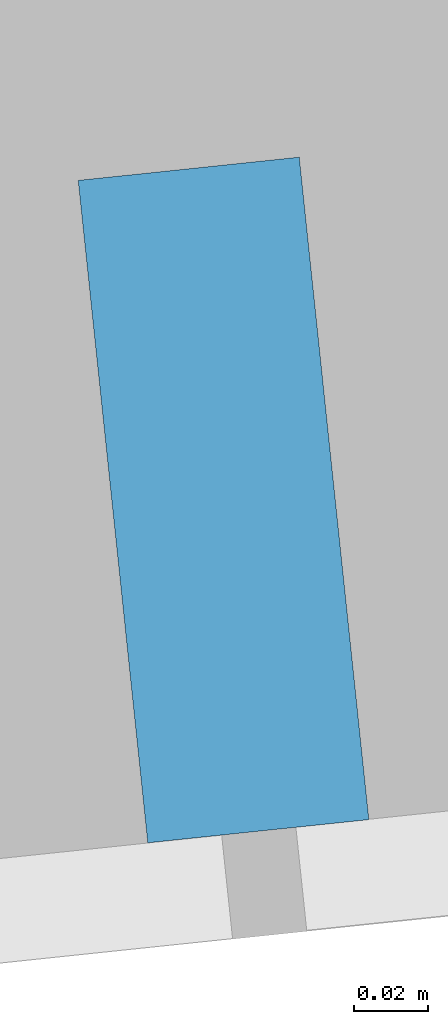
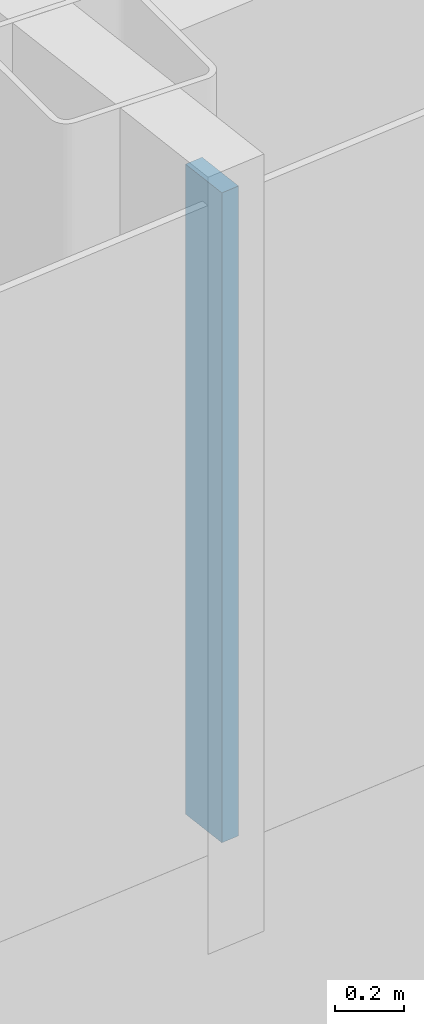
# One storey, part 7 of 27: 1 member, 1 element without a shape of its own.
"""IFC4 building model written with IfcOpenShell, lengths in metres."""

from ifc_helpers import new_model, si_unit, direction, frame, origin, origin_2d, place, context, subcontext, project, spatial, rectangle, extrude, material, layer, layer_set, material_profile, profile_set, type_object, element, aggregate, save


model = new_model("IFC4")

# Units and contexts
model_context = context("Model", 3, precision=1e-05, world=origin(), true_north=direction((0.0, 1.0)))
body_context = subcontext(model_context, "Body", "Model", "MODEL_VIEW")
ifc_project = project(units=[si_unit("LENGTHUNIT", "METRE"), si_unit("AREAUNIT", "SQUARE_METRE"), si_unit("VOLUMEUNIT", "CUBIC_METRE"), si_unit("PLANEANGLEUNIT", "RADIAN"), si_unit("MASSUNIT", "GRAM", prefix="KILO")], contexts=[model_context])

# Site, building, storey
site_placement = place(None, origin())
site = spatial("IfcSite", under=ifc_project, at=site_placement, CompositionType="ELEMENT")
building_placement = place(site_placement, origin())
building = spatial("IfcBuilding", under=site, at=building_placement, Name="Hakoniwa Tower and Hamabe Station Hall", CompositionType="ELEMENT")
storey_placement = place(building_placement, frame((0.0, 0.0, 248.60009765625)))
storey = spatial("IfcBuildingStorey", under=building, at=storey_placement, Name="L70", CompositionType="ELEMENT", Elevation=248.60009765625)

# Curtain wall, member
ifc_material_1 = material(Name="Dark low-e laminated glass", Category="glass")
ifc_layer = layer(ifc_material_1, 0.199951171875)
ifc_layer_set = layer_set([ifc_layer], Name="CW-1 UNITISED GUEST")
curtain_wall_type = type_object("IfcCurtainWallType", Name="CW-1 UNITISED GUEST", PredefinedType="NOTDEFINED", material=ifc_layer_set)
curtain_wall_placement = place(storey_placement, origin())
curtain_wall = element("IfcCurtainWall", 1, at=curtain_wall_placement, inside=storey, type_object=curtain_wall_type, Name="CW-1 curtain wall", PredefinedType="NOTDEFINED")
ifc_material_2 = material(Name="Aluminium 6063-T5 black anodised", Category="aluminium")
ifc_material_profile = material_profile(ifc_material_2, rectangle(XDim=0.06005859375, YDim=0.179931640625, at=origin_2d()), Name="CW-1 MULLION 60X180")
ifc_profile_set = profile_set([ifc_material_profile], Name="Aluminium 6063-T5 black anodised")
member_type = type_object("IfcMemberType", Name="CW-1 MULLION 60X180", PredefinedType="MULLION", material=ifc_profile_set)
member_placement = place(storey_placement, frame((18.50390625, -12.831787109375, 0.349853515625), z_axis=(0.0, 0.0, 1.0), x_axis=(0.994521895272, 0.104528464188, 0.0)))
member = element("IfcMember", 2, at=member_placement, type_object=member_type, Name="CW-1 mullion", PredefinedType="MULLION", context=body_context, shape_type="SweptSolid", body=[
    extrude(rectangle(XDim=0.06005859375, YDim=0.179931640625, at=origin_2d()), origin(), (0.0, 0.0, 1.0), 2.300048828125),
])
aggregate(curtain_wall, [member])

save(model, "model.ifc")
